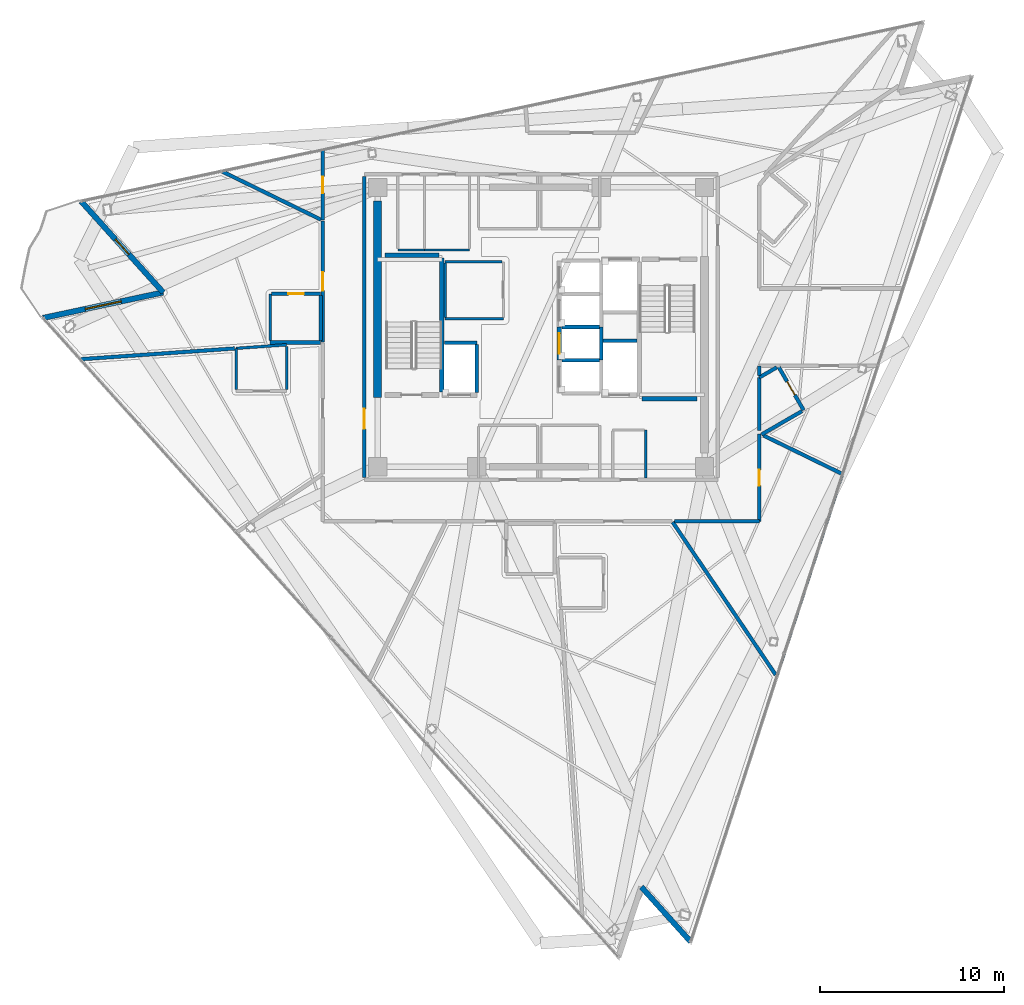
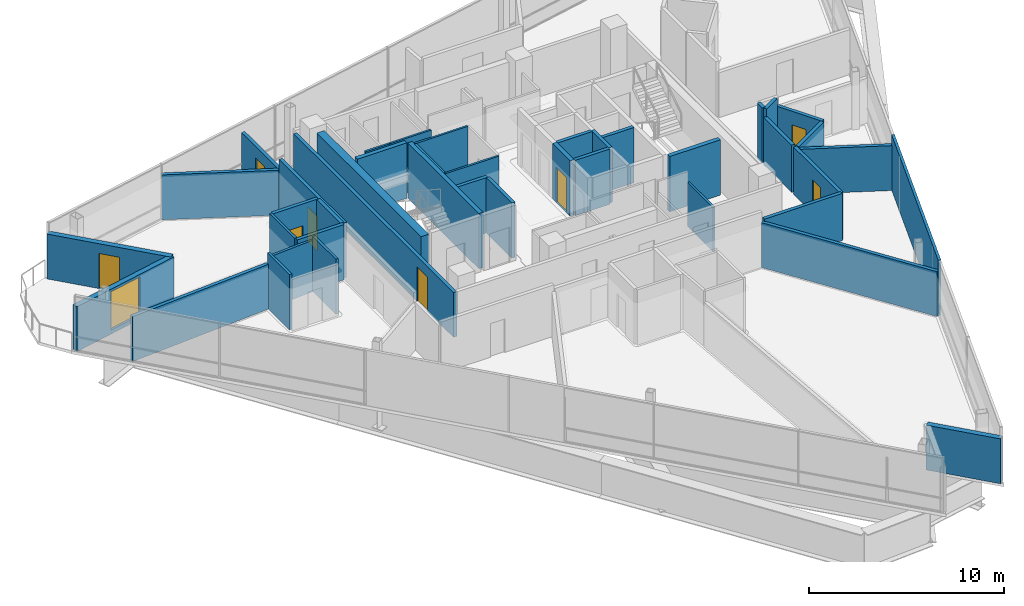
# One storey, part 11 of 18: 42 walls, 8 doors, 1 window, 9 openings.
"""IFC4 building model written with IfcOpenShell, lengths in metres."""

from ifc_helpers import new_model, si_unit, direction, frame, frame_2d, origin, place, context, subcontext, project, spatial, rectangle, extrude, material, layer, layer_set, type_object, element, fill, save


model = new_model("IFC4")

# Units and contexts
model_context = context("Model", 3, precision=1e-05, world=origin(), true_north=direction((0.0, 1.0)))
body_context = subcontext(model_context, "Body", "Model", "MODEL_VIEW")
ifc_project = project(units=[si_unit("LENGTHUNIT", "METRE"), si_unit("AREAUNIT", "SQUARE_METRE"), si_unit("VOLUMEUNIT", "CUBIC_METRE"), si_unit("PLANEANGLEUNIT", "RADIAN"), si_unit("MASSUNIT", "GRAM", prefix="KILO")], contexts=[model_context])

# Site, building, storey
site_placement = place(None, origin())
site = spatial("IfcSite", under=ifc_project, at=site_placement, CompositionType="ELEMENT")
building_placement = place(site_placement, origin())
building = spatial("IfcBuilding", under=site, at=building_placement, Name="Tharavind Bronze Gate", CompositionType="ELEMENT")
storey_placement = place(building_placement, frame((0.0, 0.0, 279.75)))
storey = spatial("IfcBuildingStorey", under=building, at=storey_placement, Name="L72", CompositionType="ELEMENT", Elevation=279.75)

# Wall, opening, door
ifc_material_1 = material(Name="Concrete C40/50", Category="concrete")
ifc_layer_1 = layer(ifc_material_1, 0.300048828125)
ifc_layer_set_1 = layer_set([ifc_layer_1], Name="Concrete C40/50")
wall_type_1 = type_object("IfcWallType", Name="EXTERIOR SPANDREL WALL 300", PredefinedType="STANDARD", material=ifc_layer_set_1)
wall_1_placement = place(storey_placement, frame((-25.041015625, 6.84814453125, 0.0), z_axis=(0.0, 0.0, 1.0), x_axis=(0.669132313306, -0.743143288532, 0.0)))
wall_1 = element("IfcWall", 1, at=wall_1_placement, inside=storey, type_object=wall_type_1, Name="L72 notch cheek wall 1A", PredefinedType="STANDARD", context=body_context, shape_type="SweptSolid", body=[
    extrude(rectangle(XDim=6.679931640625, YDim=0.300048828125, at=frame_2d((3.33984375, 0.0))), origin(), (0.0, 0.0, 1.0), 2.81005859375),
])
opening_1_placement = place(wall_1_placement, frame((2.7900390625, 0.0, 0.0)))
opening_1 = element("IfcOpeningElement", 2, at=opening_1_placement, cuts=wall_1, Name="Opening ED04", PredefinedType="OPENING", context=body_context, shape_type="SweptSolid", body=[
    extrude(rectangle(XDim=1.10009765625, YDim=2.199951171875, at=frame_2d((0.550048828125, 1.10009765625))), frame((0.0, 0.15990234375, 0.0), z_axis=(0.0, -1.0, 0.0), x_axis=(1.0, 0.0, 0.0)), (0.0, 0.0, 1.0), 0.320048828125),
])
ifc_material_2 = material(Name="Bronze Aluminium & Toughened Glass", Category="aluminium")
door_type_1 = type_object("IfcDoorType", Name="TREE BALCONY ACCESS DOOR 1100X2200", OperationType="SINGLE_SWING_LEFT", PredefinedType="DOOR", material=ifc_material_2)
door_1_placement = place(opening_1_placement, origin())
door_1 = element("IfcDoor", 3, at=door_1_placement, inside=storey, type_object=door_type_1, Name="L72 tree balcony access door", OperationType="SINGLE_SWING_LEFT", OverallHeight=2.199951171875, OverallWidth=1.10009765625, PredefinedType="DOOR", context=body_context, shape_type="SweptSolid", body=[
    extrude(rectangle(XDim=1.10009765625, YDim=2.199951171875, at=frame_2d((0.550048828125, 1.10009765625))), frame((0.0, 0.02490234375, 0.0), z_axis=(0.0, -1.0, 0.0), x_axis=(1.0, 0.0, 0.0)), (0.0, 0.0, 1.0), 0.050048828125),
])
fill(opening_1, door_1)

# Wall, opening, window
wall_2_placement = place(storey_placement, frame((-20.5712890625, 1.884033203125, 0.0), z_axis=(0.0, 0.0, 1.0), x_axis=(-0.978145008547, -0.207923885724, 0.0)))
wall_2 = element("IfcWall", 4, at=wall_2_placement, inside=storey, type_object=wall_type_1, Name="L72 notch cheek wall 1B", PredefinedType="STANDARD", context=body_context, shape_type="SweptSolid", body=[
    extrude(rectangle(XDim=6.679931640625, YDim=0.300048828125, at=frame_2d((3.33984375, 0.0))), origin(), (0.0, 0.0, 1.0), 2.81005859375),
])
opening_2_placement = place(wall_2_placement, frame((2.340087890625, 0.0, 0.25)))
opening_2 = element("IfcOpeningElement", 5, at=opening_2_placement, cuts=wall_2, Name="Opening W06", PredefinedType="OPENING", context=body_context, shape_type="SweptSolid", body=[
    extrude(rectangle(XDim=2.0, YDim=2.39990234375, at=frame_2d((1.0, 1.199951171875))), frame((0.0, 0.15990234375, 0.0), z_axis=(0.0, -1.0, 0.0), x_axis=(1.0, 0.0, 0.0)), (0.0, 0.0, 1.0), 0.320048828125),
])
ifc_material_3 = material(Name="Bronze Aluminium & Low-E Glass", Category="aluminium")
window_type = type_object("IfcWindowType", Name="CROWN OBSERVATORY WINDOW 2000X2400", PartitioningType="DOUBLE_PANEL_VERTICAL", PredefinedType="WINDOW", material=ifc_material_3)
window_placement = place(opening_2_placement, origin())
window = element("IfcWindow", 6, at=window_placement, inside=storey, type_object=window_type, Name="L72 exterior window WL-L72-NCB1-01", OverallHeight=2.39990234375, OverallWidth=2.0, PartitioningType="SINGLE_PANEL", PredefinedType="WINDOW", context=body_context, shape_type="SweptSolid", body=[
    extrude(rectangle(XDim=2.0, YDim=2.39990234375, at=frame_2d((1.0, 1.199951171875))), frame((0.0, 0.030029296875, 0.0), z_axis=(0.0, -1.0, 0.0), x_axis=(1.0, 0.0, 0.0)), (0.0, 0.0, 1.0), 0.06005859375),
])
fill(opening_2, window)

# Wall
wall_3_placement = place(storey_placement, frame((5.459228515625, -30.484130859375, 0.0), z_axis=(0.0, 0.0, 1.0), x_axis=(0.669132983361, -0.743142685208, 0.0)))
element("IfcWall", 7, at=wall_3_placement, inside=storey, type_object=wall_type_1, Name="L72 notch cheek wall 2B", PredefinedType="STANDARD", context=body_context, shape_type="SweptSolid", body=[
    extrude(rectangle(XDim=4.008056640625, YDim=0.300048828125, at=frame_2d((2.00390625, 0.0))), origin(), (0.0, 0.0, 1.0), 2.81005859375),
])

# Wall, opening, door
ifc_material_4 = material(Name="Aerated Concrete Block", Category="concrete")
ifc_layer_2 = layer(ifc_material_4, 0.199951171875)
ifc_layer_set_2 = layer_set([ifc_layer_2], Name="Aerated Concrete Block")
wall_type_2 = type_object("IfcWallType", Name="FIRE RATED PARTITION 200", PredefinedType="PARTITIONING", material=ifc_layer_set_2)
wall_4_placement = place(storey_placement, frame((-9.6201171875, 8.199951171875, 0.0), z_axis=(0.0, 0.0, 1.0), x_axis=(0.0, -1.0, 0.0)))
wall_4 = element("IfcWall", 8, at=wall_4_placement, inside=storey, type_object=wall_type_2, Name="L72 west core corridor wall", PredefinedType="PARTITIONING", context=body_context, shape_type="SweptSolid", body=[
    extrude(rectangle(XDim=16.39990234375, YDim=0.199951171875, at=frame_2d((8.199951171875, 0.0))), origin(), (0.0, 0.0, 1.0), 2.81005859375),
])
opening_3_placement = place(wall_4_placement, frame((12.64990234375, 0.0, 0.0)))
opening_3 = element("IfcOpeningElement", 9, at=opening_3_placement, cuts=wall_4, Name="Opening ID01", PredefinedType="OPENING", context=body_context, shape_type="SweptSolid", body=[
    extrude(rectangle(XDim=1.10009765625, YDim=2.14990234375, at=frame_2d((0.550048828125, 1.074951171875))), frame((0.0, 0.11009765625, 0.0), z_axis=(0.0, -1.0, 0.0), x_axis=(1.0, 0.0, 0.0)), (0.0, 0.0, 1.0), 0.219951171875),
])
ifc_material_5 = material(Name="Fire-Rated Steel", Category="steel")
door_type_2 = type_object("IfcDoorType", Name="STAIR CORE FIRE DOOR 1100X2150", OperationType="SINGLE_SWING_LEFT", PredefinedType="DOOR", material=ifc_material_5)
door_2_placement = place(opening_3_placement, frame((1.10009765625, 0.0, 0.0), z_axis=(0.0, 0.0, 1.0), x_axis=(-1.0, 0.0, 0.0)))
door_2 = element("IfcDoor", 10, at=door_2_placement, inside=storey, type_object=door_type_2, Name="L72 south west stair lobby fire door", OperationType="SINGLE_SWING_LEFT", OverallHeight=2.14990234375, OverallWidth=1.10009765625, PredefinedType="DOOR", context=body_context, shape_type="SweptSolid", body=[
    extrude(rectangle(XDim=1.10009765625, YDim=2.14990234375, at=frame_2d((0.550048828125, 1.074951171875))), frame((0.0, 0.02490234375, 0.0), z_axis=(0.0, -1.0, 0.0), x_axis=(1.0, 0.0, 0.0)), (0.0, 0.0, 1.0), 0.050048828125),
])
fill(opening_3, door_2)

# Wall
wall_5_placement = place(storey_placement, frame((-12.0, -0.839111328125, 0.0), z_axis=(0.0, 0.0, 1.0), x_axis=(-1.0, 0.0, 0.0)))
element("IfcWall", 11, at=wall_5_placement, inside=storey, type_object=wall_type_2, Name="L72 En-Suite Bathroom partition", PredefinedType="PARTITIONING", context=body_context, shape_type="SweptSolid", body=[
    extrude(rectangle(XDim=2.75, YDim=0.199951171875, at=frame_2d((1.375, 0.0))), origin(), (0.0, 0.0, 1.0), 3.465087890625),
])

# Wall, opening, door
wall_6_placement = place(storey_placement, frame((-14.669921875, 1.810791015625, 0.0), z_axis=(0.0, 0.0, 1.0), x_axis=(1.0, 0.0, 0.0)))
wall_6 = element("IfcWall", 12, at=wall_6_placement, inside=storey, type_object=wall_type_2, Name="L72 En-Suite Bathroom partition", PredefinedType="PARTITIONING", context=body_context, shape_type="SweptSolid", body=[
    extrude(rectangle(XDim=2.669921875, YDim=0.199951171875, at=frame_2d((1.3349609375, 0.0))), origin(), (0.0, 0.0, 1.0), 3.465087890625),
])
opening_4_placement = place(wall_6_placement, frame((0.909912109375, 0.0, 0.0)))
opening_4 = element("IfcOpeningElement", 13, at=opening_4_placement, cuts=wall_6, Name="Opening ID06", PredefinedType="OPENING", context=body_context, shape_type="SweptSolid", body=[
    extrude(rectangle(XDim=0.85009765625, YDim=2.10009765625, at=frame_2d((0.425048828125, 1.050048828125))), frame((0.0, 0.11009765625, 0.0), z_axis=(0.0, -1.0, 0.0), x_axis=(1.0, 0.0, 0.0)), (0.0, 0.0, 1.0), 0.219951171875),
])
ifc_material_6 = material(Name="Moisture-Resistant Timber", Category="wood")
door_type_3 = type_object("IfcDoorType", Name="BATHROOM PRIVACY DOOR 850X2100", OperationType="SINGLE_SWING_RIGHT", PredefinedType="DOOR", material=ifc_material_6)
door_3_placement = place(opening_4_placement, origin())
door_3 = element("IfcDoor", 14, at=door_3_placement, inside=storey, type_object=door_type_3, Name="L72 En-Suite Bathroom door", OperationType="SINGLE_SWING_RIGHT", OverallHeight=2.10009765625, OverallWidth=0.85009765625, PredefinedType="DOOR", context=body_context, shape_type="SweptSolid", body=[
    extrude(rectangle(XDim=0.85009765625, YDim=2.10009765625, at=frame_2d((0.425048828125, 1.050048828125))), frame((0.0, 0.02490234375, 0.0), z_axis=(0.0, -1.0, 0.0), x_axis=(1.0, 0.0, 0.0)), (0.0, 0.0, 1.0), 0.050048828125),
])
fill(opening_4, door_3)

# Wall
wall_7_placement = place(storey_placement, frame((-12.0, 1.705810546875, 0.0), z_axis=(0.0, 0.0, 1.0), x_axis=(0.0, -1.0, 0.0)))
element("IfcWall", 15, at=wall_7_placement, inside=storey, type_object=wall_type_2, Name="L72 En-Suite Bathroom partition", PredefinedType="PARTITIONING", context=body_context, shape_type="SweptSolid", body=[
    extrude(rectangle(XDim=2.43994140625, YDim=0.199951171875, at=frame_2d((1.219970703125, 0.0))), origin(), (0.0, 0.0, 1.0), 3.465087890625),
])

# Wall, opening, door
wall_8_placement = place(storey_placement, frame((12.919921875, -2.146240234375, 0.0), z_axis=(0.0, 0.0, 1.0), x_axis=(0.499996545922, -0.866027397988, 0.0)))
wall_8 = element("IfcWall", 16, at=wall_8_placement, inside=storey, type_object=wall_type_2, Name="L72 En-Suite Bathroom partition", PredefinedType="PARTITIONING", context=body_context, shape_type="SweptSolid", body=[
    extrude(rectangle(XDim=2.75, YDim=0.199951171875, at=frame_2d((1.375, 0.0))), origin(), (0.0, 0.0, 1.0), 2.9599609375),
])
opening_5_placement = place(wall_8_placement, frame((0.949951171875, 0.0, 0.0)))
opening_5 = element("IfcOpeningElement", 17, at=opening_5_placement, cuts=wall_8, Name="Opening ID06", PredefinedType="OPENING", context=body_context, shape_type="SweptSolid", body=[
    extrude(rectangle(XDim=0.85009765625, YDim=2.10009765625, at=frame_2d((0.425048828125, 1.050048828125))), frame((0.0, 0.11009765625, 0.0), z_axis=(0.0, -1.0, 0.0), x_axis=(1.0, 0.0, 0.0)), (0.0, 0.0, 1.0), 0.219951171875),
])
door_4_placement = place(opening_5_placement, origin())
door_4 = element("IfcDoor", 18, at=door_4_placement, inside=storey, type_object=door_type_3, Name="L72 En-Suite Bathroom door", OperationType="SINGLE_SWING_RIGHT", OverallHeight=2.10009765625, OverallWidth=0.85009765625, PredefinedType="DOOR", context=body_context, shape_type="SweptSolid", body=[
    extrude(rectangle(XDim=0.85009765625, YDim=2.10009765625, at=frame_2d((0.425048828125, 1.050048828125))), frame((0.0, 0.02490234375, 0.0), z_axis=(0.0, -1.0, 0.0), x_axis=(1.0, 0.0, 0.0)), (0.0, 0.0, 1.0), 0.050048828125),
])
fill(opening_5, door_4)

# Walls
wall_9_placement = place(storey_placement, frame((14.2041015625, -4.580322265625, 0.0), z_axis=(0.0, 0.0, 1.0), x_axis=(-0.866038622153, -0.499977104415, 0.0)))
element("IfcWall", 19, at=wall_9_placement, inside=storey, type_object=wall_type_2, Name="L72 En-Suite Bathroom partition", PredefinedType="PARTITIONING", context=body_context, shape_type="SweptSolid", body=[
    extrude(rectangle(XDim=2.544921875, YDim=0.199951171875, at=frame_2d((1.2724609375, 0.0))), origin(), (0.0, 0.0, 1.0), 2.9599609375),
])
wall_10_placement = place(storey_placement, frame((11.8798828125, -5.64501953125, 0.0), z_axis=(0.0, 0.0, 1.0), x_axis=(0.0, 1.0, 0.0)))
element("IfcWall", 20, at=wall_10_placement, inside=storey, type_object=wall_type_2, Name="L72 En-Suite Bathroom partition", PredefinedType="PARTITIONING", context=body_context, shape_type="SweptSolid", body=[
    extrude(rectangle(XDim=2.8984375, YDim=0.199951171875, at=frame_2d((1.44921875, 0.0))), origin(), (0.0, 0.0, 1.0), 2.9599609375),
])
wall_11_placement = place(storey_placement, frame((11.8798828125, -2.74658203125, 0.0), z_axis=(0.0, 0.0, 1.0), x_axis=(0.86609656662, 0.499876722092, 0.0)))
element("IfcWall", 21, at=wall_11_placement, inside=storey, type_object=wall_type_2, Name="L72 En-Suite Bathroom partition", PredefinedType="PARTITIONING", context=body_context, shape_type="SweptSolid", body=[
    extrude(rectangle(XDim=1.095947265625, YDim=0.199951171875, at=frame_2d((0.5478515625, 0.0))), origin(), (0.0, 0.0, 1.0), 3.465087890625),
])

# Wall, opening, door
wall_12_placement = place(storey_placement, frame((11.8798828125, -10.579345703125, 0.0), z_axis=(0.0, 0.0, 1.0), x_axis=(0.0, 1.0, 0.0)))
wall_12 = element("IfcWall", 22, at=wall_12_placement, inside=storey, type_object=wall_type_2, Name="L72 Public Restrooms Block partition", PredefinedType="PARTITIONING", context=body_context, shape_type="SweptSolid", body=[
    extrude(rectangle(XDim=4.7451171875, YDim=0.199951171875, at=frame_2d((2.37255859375, 0.0))), origin(), (0.0, 0.0, 1.0), 2.9599609375),
])
opening_6_placement = place(wall_12_placement, frame((1.947998046875, 0.0, 0.0)))
opening_6 = element("IfcOpeningElement", 23, at=opening_6_placement, cuts=wall_12, Name="Opening ID06", PredefinedType="OPENING", context=body_context, shape_type="SweptSolid", body=[
    extrude(rectangle(XDim=0.85009765625, YDim=2.10009765625, at=frame_2d((0.425048828125, 1.050048828125))), frame((0.0, 0.11009765625, 0.0), z_axis=(0.0, -1.0, 0.0), x_axis=(1.0, 0.0, 0.0)), (0.0, 0.0, 1.0), 0.219951171875),
])
door_5_placement = place(opening_6_placement, origin())
door_5 = element("IfcDoor", 24, at=door_5_placement, inside=storey, type_object=door_type_3, Name="L72 Public Restrooms Block door", OperationType="SINGLE_SWING_RIGHT", OverallHeight=2.10009765625, OverallWidth=0.85009765625, PredefinedType="DOOR", context=body_context, shape_type="SweptSolid", body=[
    extrude(rectangle(XDim=0.85009765625, YDim=2.10009765625, at=frame_2d((0.425048828125, 1.050048828125))), frame((0.0, 0.02490234375, 0.0), z_axis=(0.0, -1.0, 0.0), x_axis=(1.0, 0.0, 0.0)), (0.0, 0.0, 1.0), 0.050048828125),
])
fill(opening_6, door_5)

# Walls
wall_13_placement = place(storey_placement, frame((12.114013671875, -5.908203125, 0.0), z_axis=(0.0, 0.0, 1.0), x_axis=(0.898773373644, -0.438413529476, 0.0)))
element("IfcWall", 25, at=wall_13_placement, inside=storey, type_object=wall_type_2, Name="L72 Public Restrooms Block partition", PredefinedType="PARTITIONING", context=body_context, shape_type="SweptSolid", body=[
    extrude(rectangle(XDim=4.76123046875, YDim=0.199951171875, at=frame_2d((2.380615234375, 0.0))), origin(), (0.0, 0.0, 1.0), 2.81005859375),
])
wall_14_placement = place(storey_placement, frame((12.775634765625, -18.940673828125, 0.0), z_axis=(0.0, 0.0, 1.0), x_axis=(-0.559187933526, 0.829040924804, 0.0)))
element("IfcWall", 26, at=wall_14_placement, inside=storey, type_object=wall_type_2, Name="L72 Public Restrooms Block partition", PredefinedType="PARTITIONING", context=body_context, shape_type="SweptSolid", body=[
    extrude(rectangle(XDim=10.037841796875, YDim=0.199951171875, at=frame_2d((5.01904296875, 0.0))), origin(), (0.0, 0.0, 1.0), 2.81005859375),
])
wall_15_placement = place(storey_placement, frame((7.262939453125, -10.580078125, 0.0), z_axis=(0.0, 0.0, 1.0), x_axis=(1.0, 0.0, 0.0)))
element("IfcWall", 27, at=wall_15_placement, inside=storey, type_object=wall_type_2, Name="L72 Public Restrooms Block partition", PredefinedType="PARTITIONING", context=body_context, shape_type="SweptSolid", body=[
    extrude(rectangle(XDim=4.616455078125, YDim=0.199951171875, at=frame_2d((2.30810546875, 0.0))), origin(), (0.0, 0.0, 1.0), 2.9599609375),
])

# Wall, opening, door
wall_16_placement = place(storey_placement, frame((-11.8798828125, 9.645751953125, 0.0), z_axis=(0.0, 0.0, 1.0), x_axis=(0.0, -1.0, 0.0)))
wall_16 = element("IfcWall", 28, at=wall_16_placement, inside=storey, type_object=wall_type_2, Name="L72 Housekeeping & Linen Room partition", PredefinedType="PARTITIONING", context=body_context, shape_type="SweptSolid", body=[
    extrude(rectangle(XDim=3.8115234375, YDim=0.199951171875, at=frame_2d((1.90576171875, 0.0))), origin(), (0.0, 0.0, 1.0), 2.81005859375),
])
opening_7_placement = place(wall_16_placement, frame((1.4560546875, 0.0, 0.0)))
opening_7 = element("IfcOpeningElement", 29, at=opening_7_placement, cuts=wall_16, Name="Opening ID07", PredefinedType="OPENING", context=body_context, shape_type="SweptSolid", body=[
    extrude(rectangle(XDim=0.89990234375, YDim=2.10009765625, at=frame_2d((0.449951171875, 1.050048828125))), frame((0.0, 0.11009765625, 0.0), z_axis=(0.0, -1.0, 0.0), x_axis=(1.0, 0.0, 0.0)), (0.0, 0.0, 1.0), 0.219951171875),
])
ifc_material_7 = material(Name="Galvanised Fire Steel", Category="steel")
door_type_4 = type_object("IfcDoorType", Name="PLANT AND RISER FIRE DOOR 900X2100", OperationType="SINGLE_SWING_LEFT", PredefinedType="DOOR", material=ifc_material_7)
door_6_placement = place(opening_7_placement, origin())
door_6 = element("IfcDoor", 30, at=door_6_placement, inside=storey, type_object=door_type_4, Name="L72 Housekeeping & Linen Room door", OperationType="SINGLE_SWING_LEFT", OverallHeight=2.10009765625, OverallWidth=0.89990234375, PredefinedType="DOOR", context=body_context, shape_type="SweptSolid", body=[
    extrude(rectangle(XDim=0.89990234375, YDim=2.10009765625, at=frame_2d((0.449951171875, 1.050048828125))), frame((0.0, 0.02490234375, 0.0), z_axis=(0.0, -1.0, 0.0), x_axis=(1.0, 0.0, 0.0)), (0.0, 0.0, 1.0), 0.050048828125),
])
fill(opening_7, door_6)

# Wall
wall_17_placement = place(storey_placement, frame((-11.985107421875, 5.845458984375, 0.0), z_axis=(0.0, 0.0, 1.0), x_axis=(-0.898777045876, 0.438406001107, 0.0)))
element("IfcWall", 31, at=wall_17_placement, inside=storey, type_object=wall_type_2, Name="L72 Housekeeping & Linen Room partition", PredefinedType="PARTITIONING", context=body_context, shape_type="SweptSolid", body=[
    extrude(rectangle(XDim=6.002197265625, YDim=0.199951171875, at=frame_2d((3.0009765625, 0.0))), origin(), (0.0, 0.0, 1.0), 2.81005859375),
])

# Wall, opening, door
wall_18_placement = place(storey_placement, frame((-11.8798828125, 5.778564453125, 0.0), z_axis=(0.0, 0.0, 1.0), x_axis=(0.0, -1.0, 0.0)))
wall_18 = element("IfcWall", 32, at=wall_18_placement, inside=storey, type_object=wall_type_2, Name="L72 Deluxe Hotel Suite partition", PredefinedType="PARTITIONING", context=body_context, shape_type="SweptSolid", body=[
    extrude(rectangle(XDim=6.5859375, YDim=0.199951171875, at=frame_2d((3.29296875, 0.0))), origin(), (0.0, 0.0, 1.0), 3.465087890625),
])
opening_8_placement = place(wall_18_placement, frame((2.79296875, 0.0, 0.0)))
opening_8 = element("IfcOpeningElement", 33, at=opening_8_placement, cuts=wall_18, Name="Opening ID03", PredefinedType="OPENING", context=body_context, shape_type="SweptSolid", body=[
    extrude(rectangle(XDim=1.0, YDim=2.14990234375, at=frame_2d((0.5, 1.074951171875))), frame((0.0, 0.11009765625, 0.0), z_axis=(0.0, -1.0, 0.0), x_axis=(1.0, 0.0, 0.0)), (0.0, 0.0, 1.0), 0.219951171875),
])
ifc_material_8 = material(Name="Solid Timber Veneer", Category="wood")
door_type_5 = type_object("IfcDoorType", Name="HOTEL SUITE ENTRANCE DOOR 1000X2150", OperationType="SINGLE_SWING_LEFT", PredefinedType="DOOR", material=ifc_material_8)
door_7_placement = place(opening_8_placement, origin())
door_7 = element("IfcDoor", 34, at=door_7_placement, inside=storey, type_object=door_type_5, Name="L72 Deluxe Hotel Suite door", OperationType="SINGLE_SWING_LEFT", OverallHeight=2.14990234375, OverallWidth=1.0, PredefinedType="DOOR", context=body_context, shape_type="SweptSolid", body=[
    extrude(rectangle(XDim=1.0, YDim=2.14990234375, at=frame_2d((0.5, 1.074951171875))), frame((0.0, 0.02490234375, 0.0), z_axis=(0.0, -1.0, 0.0), x_axis=(1.0, 0.0, 0.0)), (0.0, 0.0, 1.0), 0.050048828125),
])
fill(opening_8, door_7)

# Walls
wall_19_placement = place(storey_placement, frame((-16.679931640625, -1.16650390625, 0.0), z_axis=(0.0, 0.0, 1.0), x_axis=(-0.997565152075, -0.069740715271, 0.0)))
element("IfcWall", 35, at=wall_19_placement, inside=storey, type_object=wall_type_2, Name="L72 Deluxe Hotel Suite partition", PredefinedType="PARTITIONING", context=body_context, shape_type="SweptSolid", body=[
    extrude(rectangle(XDim=8.40869140625, YDim=0.199951171875, at=frame_2d((4.204345703125, 0.0))), origin(), (0.0, 0.0, 1.0), 2.81005859375),
])
wall_20_placement = place(storey_placement, frame((11.8798828125, -2.62548828125, 0.0), z_axis=(0.0, 0.0, 1.0), x_axis=(0.0, 1.0, 0.0)))
element("IfcWall", 36, at=wall_20_placement, inside=storey, type_object=wall_type_2, Name="L72 Corner Hotel Suite partition", PredefinedType="PARTITIONING", context=body_context, shape_type="SweptSolid", body=[
    extrude(rectangle(XDim=0.50048828125, YDim=0.199951171875, at=frame_2d((0.250244140625, 0.0))), origin(), (0.0, 0.0, 1.0), 3.465087890625),
])
ifc_material_9 = material(Name="Metal Stud Gypsum Partition", Category="gypsum")
ifc_layer_3 = layer(ifc_material_9, 0.1201171875)
ifc_layer_set_3 = layer_set([ifc_layer_3], Name="Metal Stud Gypsum Partition")
wall_type_3 = type_object("IfcWallType", Name="INTERIOR PARTITION WALL 120", PredefinedType="PARTITIONING", material=ifc_layer_set_3)
wall_21_placement = place(storey_placement, frame((-5.219970703125, 0.449951171875, 0.0), z_axis=(0.0, 0.0, 1.0), x_axis=(1.0, 0.0, 0.0)))
element("IfcWall", 37, at=wall_21_placement, inside=storey, type_object=wall_type_3, Name="L72 Electrical & Telecom Store partition 1", PredefinedType="PARTITIONING", context=body_context, shape_type="SweptSolid", body=[
    extrude(rectangle(XDim=3.169921875, YDim=0.1201171875, at=frame_2d((1.5849609375, 0.0))), origin(), (0.0, 0.0, 1.0), 3.465087890625),
])
wall_22_placement = place(storey_placement, frame((-2.114990234375, 3.550048828125, 0.0), z_axis=(0.0, 0.0, 1.0), x_axis=(-1.0, 0.0, 0.0)))
element("IfcWall", 38, at=wall_22_placement, inside=storey, type_object=wall_type_3, Name="L72 Electrical & Telecom Store partition 3", PredefinedType="PARTITIONING", context=body_context, shape_type="SweptSolid", body=[
    extrude(rectangle(XDim=3.10498046875, YDim=0.1201171875, at=frame_2d((1.552490234375, 0.0))), origin(), (0.0, 0.0, 1.0), 3.465087890625),
])
wall_23_placement = place(storey_placement, frame((-5.219970703125, 3.485107421875, 0.0), z_axis=(0.0, 0.0, 1.0), x_axis=(0.0, -1.0, 0.0)))
element("IfcWall", 39, at=wall_23_placement, inside=storey, type_object=wall_type_3, Name="L72 Electrical & Telecom Store partition 4", PredefinedType="PARTITIONING", context=body_context, shape_type="SweptSolid", body=[
    extrude(rectangle(XDim=2.97021484375, YDim=0.1201171875, at=frame_2d((1.485107421875, 0.0))), origin(), (0.0, 0.0, 1.0), 3.465087890625),
])
wall_24_placement = place(storey_placement, frame((-7.800048828125, 4.199951171875, 0.0), z_axis=(0.0, 0.0, 1.0), x_axis=(1.0, 0.0, 0.0)))
element("IfcWall", 40, at=wall_24_placement, inside=storey, type_object=wall_type_3, Name="L72 Battery Backup Cupboard partition 1", PredefinedType="PARTITIONING", context=body_context, shape_type="SweptSolid", body=[
    extrude(rectangle(XDim=1.449951171875, YDim=0.1201171875, at=frame_2d((0.72509765625, 0.0))), origin(), (0.0, 0.0, 1.0), 3.465087890625),
])
wall_25_placement = place(storey_placement, frame((-6.35009765625, 4.199951171875, 0.0), z_axis=(0.0, 0.0, 1.0), x_axis=(1.0, 0.0, 0.0)))
element("IfcWall", 41, at=wall_25_placement, inside=storey, type_object=wall_type_3, Name="L72 Cleaner Store Room partition 1", PredefinedType="PARTITIONING", context=body_context, shape_type="SweptSolid", body=[
    extrude(rectangle(XDim=2.4501953125, YDim=0.1201171875, at=frame_2d((1.22509765625, 0.0))), origin(), (0.0, 0.0, 1.0), 3.465087890625),
])
wall_26_placement = place(storey_placement, frame((5.699951171875, -8.215087890625, 0.0), z_axis=(0.0, 0.0, 1.0), x_axis=(0.0, 1.0, 0.0)))
element("IfcWall", 42, at=wall_26_placement, inside=storey, type_object=wall_type_3, Name="L72 Janitor Store Cupboard partition 2", PredefinedType="PARTITIONING", context=body_context, shape_type="SweptSolid", body=[
    extrude(rectangle(XDim=2.614990234375, YDim=0.1201171875, at=frame_2d((1.3076171875, 0.0))), origin(), (0.0, 0.0, 1.0), 2.760009765625),
])
ifc_material_10 = material(Name="Twin Stud Acoustic Gypsum", Category="gypsum")
ifc_layer_4 = layer(ifc_material_10, 0.14990234375)
ifc_layer_set_4 = layer_set([ifc_layer_4], Name="Twin Stud Acoustic Gypsum")
wall_type_4 = type_object("IfcWallType", Name="INTERIOR PARTITION WALL 150", PredefinedType="PARTITIONING", material=ifc_layer_set_4)
wall_27_placement = place(storey_placement, frame((-14.75, -0.734130859375, 0.0), z_axis=(0.0, 0.0, 1.0), x_axis=(0.0, 1.0, 0.0)))
element("IfcWall", 43, at=wall_27_placement, inside=storey, type_object=wall_type_4, Name="L72 En-Suite Bathroom partition", PredefinedType="PARTITIONING", context=body_context, shape_type="SweptSolid", body=[
    extrude(rectangle(XDim=2.544921875, YDim=0.14990234375, at=frame_2d((1.2724609375, 0.0))), origin(), (0.0, 0.0, 1.0), 3.465087890625),
])
wall_28_placement = place(storey_placement, frame((-16.60009765625, -3.4091796875, 0.0), z_axis=(0.0, 0.0, 1.0), x_axis=(0.0, 1.0, 0.0)))
element("IfcWall", 44, at=wall_28_placement, inside=storey, type_object=wall_type_4, Name="L72 En-Suite Bathroom partition", PredefinedType="PARTITIONING", context=body_context, shape_type="SweptSolid", body=[
    extrude(rectangle(XDim=2.248291015625, YDim=0.14990234375, at=frame_2d((1.1240234375, 0.0))), origin(), (0.0, 0.0, 1.0), 3.465087890625),
])
wall_29_placement = place(storey_placement, frame((-16.60009765625, -1.160888671875, 0.0), z_axis=(0.0, 0.0, 1.0), x_axis=(0.997561927417, 0.069786825178, 0.0)))
element("IfcWall", 45, at=wall_29_placement, inside=storey, type_object=wall_type_4, Name="L72 En-Suite Bathroom partition", PredefinedType="PARTITIONING", context=body_context, shape_type="SweptSolid", body=[
    extrude(rectangle(XDim=2.7568359375, YDim=0.14990234375, at=frame_2d((1.37841796875, 0.0))), origin(), (0.0, 0.0, 1.0), 3.219970703125),
])
wall_30_placement = place(storey_placement, frame((-13.85009765625, -1.048583984375, 0.0), z_axis=(0.0, 0.0, 1.0), x_axis=(0.0, -1.0, 0.0)))
element("IfcWall", 46, at=wall_30_placement, inside=storey, type_object=wall_type_4, Name="L72 En-Suite Bathroom partition", PredefinedType="PARTITIONING", context=body_context, shape_type="SweptSolid", body=[
    extrude(rectangle(XDim=2.360595703125, YDim=0.14990234375, at=frame_2d((1.18017578125, 0.0))), origin(), (0.0, 0.0, 1.0), 3.465087890625),
])
wall_31_placement = place(storey_placement, frame((16.40625, -8.02587890625, 0.0), z_axis=(0.0, 0.0, 1.0), x_axis=(-0.309030454155, -0.951052142842, 0.0)))
element("IfcWall", 47, at=wall_31_placement, inside=storey, type_object=wall_type_4, Name="L72 Public Restrooms Block partition", PredefinedType="PARTITIONING", context=body_context, shape_type="SweptSolid", body=[
    extrude(rectangle(XDim=11.513671875, YDim=0.14990234375, at=frame_2d((5.7568359375, 0.0))), origin(), (0.0, 0.0, 1.0), 3.465087890625),
])
ifc_material_11 = material(Name="Concrete C50/60", Category="concrete")
ifc_layer_5 = layer(ifc_material_11, 0.25)
ifc_layer_set_5 = layer_set([ifc_layer_5], Name="Concrete C50/60")
wall_type_5 = type_object("IfcWallType", Name="RC CORE SHEAR WALL 250", PredefinedType="SHEAR", material=ifc_layer_set_5)
wall_32_placement = place(storey_placement, frame((-5.39990234375, -3.550048828125, 0.0), z_axis=(0.0, 0.0, 1.0), x_axis=(0.0, 1.0, 0.0)))
element("IfcWall", 48, at=wall_32_placement, inside=storey, type_object=wall_type_5, Name="L72 ST1 shaft east wall", PredefinedType="SHEAR", context=body_context, shape_type="SweptSolid", body=[
    extrude(rectangle(XDim=7.300048828125, YDim=0.25, at=frame_2d((3.64990234375, 0.0))), origin(), (0.0, 0.0, 1.0), 3.465087890625),
])
wall_33_placement = place(storey_placement, frame((-8.5, 3.89990234375, 0.0), z_axis=(0.0, 0.0, 1.0), x_axis=(1.0, 0.0, 0.0)))
element("IfcWall", 49, at=wall_33_placement, inside=storey, type_object=wall_type_5, Name="L72 ST1 shaft north wall", PredefinedType="SHEAR", context=body_context, shape_type="SweptSolid", body=[
    extrude(rectangle(XDim=2.949951171875, YDim=0.25, at=frame_2d((1.47509765625, 0.0))), origin(), (0.0, 0.0, 1.0), 3.465087890625),
])
wall_34_placement = place(storey_placement, frame((5.5, -3.89990234375, 0.0), z_axis=(0.0, 0.0, 1.0), x_axis=(1.0, 0.0, 0.0)))
element("IfcWall", 50, at=wall_34_placement, inside=storey, type_object=wall_type_5, Name="L72 ST2 shaft south wall", PredefinedType="SHEAR", context=body_context, shape_type="SweptSolid", body=[
    extrude(rectangle(XDim=3.0, YDim=0.25, at=frame_2d((1.5, 0.0))), origin(), (0.0, 0.0, 1.0), 3.465087890625),
])

# Wall, opening, door
wall_35_placement = place(storey_placement, frame((1.0, -1.800048828125, 0.0), z_axis=(0.0, 0.0, 1.0), x_axis=(0.0, 1.0, 0.0)))
wall_35 = element("IfcWall", 51, at=wall_35_placement, inside=storey, type_object=wall_type_5, Name="L72 lift PL10 shaft front wall", PredefinedType="SHEAR", context=body_context, shape_type="SweptSolid", body=[
    extrude(rectangle(XDim=1.800048828125, YDim=0.25, at=frame_2d((0.89990234375, 0.0))), origin(), (0.0, 0.0, 1.0), 3.465087890625),
])
opening_9_placement = place(wall_35_placement, frame((0.35009765625, 0.0, 0.0)))
opening_9 = element("IfcOpeningElement", 52, at=opening_9_placement, cuts=wall_35, Name="Opening LD01", PredefinedType="OPENING", context=body_context, shape_type="SweptSolid", body=[
    extrude(rectangle(XDim=1.10009765625, YDim=2.199951171875, at=frame_2d((0.550048828125, 1.10009765625))), frame((0.0, 0.135, 0.0), z_axis=(0.0, -1.0, 0.0), x_axis=(1.0, 0.0, 0.0)), (0.0, 0.0, 1.0), 0.27),
])
ifc_material_12 = material(Name="Brushed Bronze Stainless Steel", Category="steel")
door_type_6 = type_object("IfcDoorType", Name="LIFT LANDING SLIDING DOOR 1100X2200", OperationType="SLIDING_TO_LEFT", PredefinedType="DOOR", material=ifc_material_12)
door_8_placement = place(opening_9_placement, origin())
door_8 = element("IfcDoor", 53, at=door_8_placement, inside=storey, type_object=door_type_6, Name="L72 lift PL10 sliding landing door", OperationType="SLIDING_TO_LEFT", OverallHeight=2.199951171875, OverallWidth=1.10009765625, PredefinedType="DOOR", context=body_context, shape_type="SweptSolid", body=[
    extrude(rectangle(XDim=1.10009765625, YDim=2.199951171875, at=frame_2d((0.550048828125, 1.10009765625))), frame((0.0, 0.02490234375, 0.0), z_axis=(0.0, -1.0, 0.0), x_axis=(1.0, 0.0, 0.0)), (0.0, 0.0, 1.0), 0.050048828125),
])
fill(opening_9, door_8)

# Walls
ifc_material_13 = material(Name="Concrete C60/75", Category="concrete")
ifc_layer_6 = layer(ifc_material_13, 0.449951171875)
ifc_layer_set_6 = layer_set([ifc_layer_6], Name="Concrete C60/75")
wall_type_6 = type_object("IfcWallType", Name="RC CORE SHEAR WALL 450", PredefinedType="SHEAR", material=ifc_layer_set_6)
wall_36_placement = place(storey_placement, frame((-8.89990234375, -3.85009765625, 0.0), z_axis=(0.0, 0.0, 1.0), x_axis=(0.0, 1.0, 0.0)))
element("IfcWall", 54, at=wall_36_placement, inside=storey, type_object=wall_type_6, Name="L72 west core shear wall", PredefinedType="SHEAR", context=body_context, shape_type="SweptSolid", body=[
    extrude(rectangle(XDim=10.7001953125, YDim=0.449951171875, at=frame_2d((5.35009765625, 0.0))), origin(), (0.0, 0.0, 1.0), 3.465087890625),
])
ifc_layer_7 = layer(ifc_material_1, 0.199951171875)
ifc_layer_set_7 = layer_set([ifc_layer_7], Name="Concrete C40/50")
wall_type_7 = type_object("IfcWallType", Name="SHAFT ENCLOSURE WALL 200", PredefinedType="PARTITIONING", material=ifc_layer_set_7)
wall_37_placement = place(storey_placement, frame((1.1298828125, -1.800048828125, 0.0), z_axis=(0.0, 0.0, 1.0), x_axis=(1.0, 0.0, 0.0)))
element("IfcWall", 55, at=wall_37_placement, inside=storey, type_object=wall_type_7, Name="L72 lift PL9 shaft N enclosure wall", PredefinedType="PARTITIONING", context=body_context, shape_type="SweptSolid", body=[
    extrude(rectangle(XDim=2.045166015625, YDim=0.199951171875, at=frame_2d((1.0224609375, 0.0))), origin(), (0.0, 0.0, 1.0), 3.465087890625),
])
wall_38_placement = place(storey_placement, frame((3.280029296875, -1.800048828125, 0.0), z_axis=(0.0, 0.0, 1.0), x_axis=(0.0, 1.0, 0.0)))
element("IfcWall", 56, at=wall_38_placement, inside=storey, type_object=wall_type_7, Name="L72 lift PL10 shaft E enclosure wall", PredefinedType="PARTITIONING", context=body_context, shape_type="SweptSolid", body=[
    extrude(rectangle(XDim=1.800048828125, YDim=0.199951171875, at=frame_2d((0.89990234375, 0.0))), origin(), (0.0, 0.0, 1.0), 3.465087890625),
])
wall_39_placement = place(storey_placement, frame((1.1298828125, 0.0, 0.0), z_axis=(0.0, 0.0, 1.0), x_axis=(1.0, 0.0, 0.0)))
element("IfcWall", 57, at=wall_39_placement, inside=storey, type_object=wall_type_7, Name="L72 lift PL10 shaft N enclosure wall", PredefinedType="PARTITIONING", context=body_context, shape_type="SweptSolid", body=[
    extrude(rectangle(XDim=2.045166015625, YDim=0.199951171875, at=frame_2d((1.0224609375, 0.0))), origin(), (0.0, 0.0, 1.0), 3.465087890625),
])
wall_40_placement = place(storey_placement, frame((-5.27001953125, -0.85009765625, 0.0), z_axis=(0.0, 0.0, 1.0), x_axis=(1.0, 0.0, 0.0)))
element("IfcWall", 58, at=wall_40_placement, inside=storey, type_object=wall_type_7, Name="L72 lift FFL1 shaft N enclosure wall", PredefinedType="PARTITIONING", context=body_context, shape_type="SweptSolid", body=[
    extrude(rectangle(XDim=1.77001953125, YDim=0.199951171875, at=frame_2d((0.885009765625, 0.0))), origin(), (0.0, 0.0, 1.0), 3.465087890625),
])
wall_41_placement = place(storey_placement, frame((-3.5, -3.570068359375, 0.0), z_axis=(0.0, 0.0, 1.0), x_axis=(0.0, 1.0, 0.0)))
element("IfcWall", 59, at=wall_41_placement, inside=storey, type_object=wall_type_7, Name="L72 lift FFL1 shaft E enclosure wall", PredefinedType="PARTITIONING", context=body_context, shape_type="SweptSolid", body=[
    extrude(rectangle(XDim=2.614990234375, YDim=0.199951171875, at=frame_2d((1.3076171875, 0.0))), origin(), (0.0, 0.0, 1.0), 3.465087890625),
])
wall_42_placement = place(storey_placement, frame((3.385009765625, -0.75, 0.0), z_axis=(0.0, 0.0, 1.0), x_axis=(1.0, 0.0, 0.0)))
element("IfcWall", 60, at=wall_42_placement, inside=storey, type_object=wall_type_7, Name="L72 lift SVL1 shaft N enclosure wall", PredefinedType="PARTITIONING", context=body_context, shape_type="SweptSolid", body=[
    extrude(rectangle(XDim=1.8349609375, YDim=0.199951171875, at=frame_2d((0.91748046875, 0.0))), origin(), (0.0, 0.0, 1.0), 3.465087890625),
])

save(model, "model.ifc")
